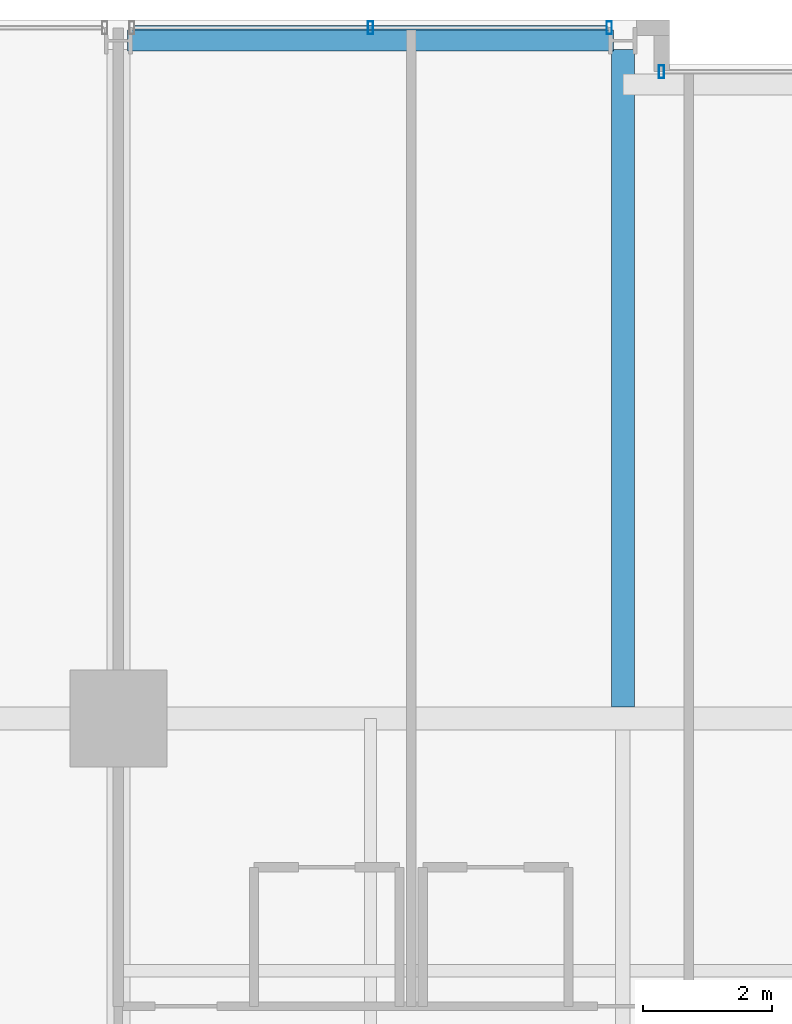
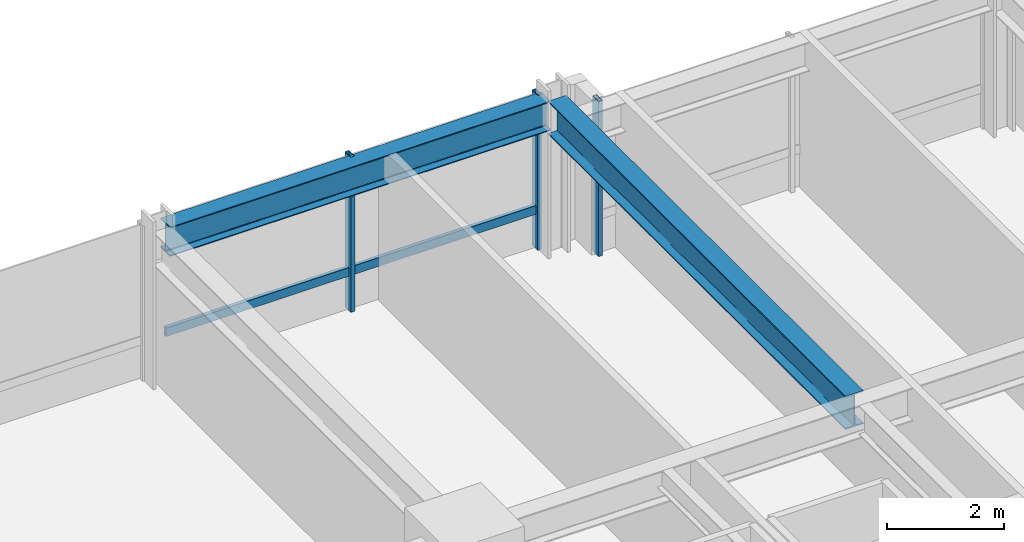
# One storey, part 21 of 34: 4 members, 2 beams, 2 elements without a shape of their own.
"""IFC4 building model written with IfcOpenShell, lengths in metres."""

from ifc_helpers import new_model, si_unit, direction, frame, origin, origin_2d, place, context, subcontext, project, spatial, hollow_rectangle, i_section, extrude, material, layer, layer_set, material_profile, profile_set, type_object, element, aggregate, save


model = new_model("IFC4")

# Units and contexts
model_context = context("Model", 3, precision=1e-05, world=origin(), true_north=direction((0.0, 1.0)))
body_context = subcontext(model_context, "Body", "Model", "MODEL_VIEW")
ifc_project = project(units=[si_unit("LENGTHUNIT", "METRE"), si_unit("AREAUNIT", "SQUARE_METRE"), si_unit("VOLUMEUNIT", "CUBIC_METRE"), si_unit("PLANEANGLEUNIT", "RADIAN"), si_unit("MASSUNIT", "GRAM", prefix="KILO")], contexts=[model_context])

# Site, building, storey
site_placement = place(None, origin())
site = spatial("IfcSite", under=ifc_project, at=site_placement, CompositionType="ELEMENT")
building_placement = place(site_placement, origin())
building = spatial("IfcBuilding", under=site, at=building_placement, Name="Drelvath Grand Hotel", CompositionType="ELEMENT")
storey_placement = place(building_placement, frame((0.0, 0.0, 133.800048828125)))
storey = spatial("IfcBuildingStorey", under=building, at=storey_placement, Name="L34", CompositionType="ELEMENT", Elevation=133.800048828125)

# Curtain wall, members
ifc_material_1 = material(Name="Champagne Bronze Anodised Aluminium Frame", Category="aluminium")
ifc_layer = layer(ifc_material_1, 0.199951171875)
ifc_layer_set = layer_set([ifc_layer], Name="Champagne Bronze Anodised Aluminium Frame")
curtain_wall_type = type_object("IfcCurtainWallType", Name="Stick Curtain Wall CW-03 Champagne Bronze Mid-Rise", PredefinedType="NOTDEFINED", material=ifc_layer_set)
curtain_wall_1_placement = place(storey_placement, origin())
curtain_wall_1 = element("IfcCurtainWall", 1, at=curtain_wall_1_placement, inside=storey, type_object=curtain_wall_type, Name="L34 CW-03 Curtain Wall CW03-L34-NW2", PredefinedType="NOTDEFINED")
ifc_material_profile_1 = material_profile(ifc_material_1, hollow_rectangle(XDim=0.074951171875, YDim=0.179931640625, WallThickness=0.0048828125, at=origin_2d()), Name="HSS180X75X5")
ifc_profile_set_1 = profile_set([ifc_material_profile_1], Name="Champagne Bronze Anodised Aluminium Frame")
member_type_1 = type_object("IfcMemberType", Name="Curtain Wall Horizontal Transom CW-03 HSS180X75X5", PredefinedType="USERDEFINED", material=ifc_profile_set_1)
member_1_placement = place(storey_placement, frame((-15.95068359375, 53.8798828125, 0.81005859375), z_axis=(1.0, 0.0, 0.0), x_axis=(0.0, 1.0, 0.0)))
member_1 = element("IfcMember", 2, at=member_1_placement, type_object=member_type_1, Name="CW03-L34-NW2 Sill Transom", ObjectType="TRANSOM", PredefinedType="USERDEFINED", context=body_context, shape_type="SweptSolid", body=[
    extrude(hollow_rectangle(XDim=0.074951171875, YDim=0.179931640625, WallThickness=0.0048828125, at=origin_2d()), origin(), (0.0, 0.0, 1.0), 7.30126953125),
])
ifc_material_profile_2 = material_profile(ifc_material_1, hollow_rectangle(XDim=0.080078125, YDim=0.199951171875, WallThickness=0.0048828125, at=origin_2d()), Name="HSS200X80X5")
ifc_profile_set_2 = profile_set([ifc_material_profile_2], Name="Champagne Bronze Anodised Aluminium Frame")
member_type_2 = type_object("IfcMemberType", Name="Curtain Wall Vertical Mullion CW-03 HSS200X80X5", PredefinedType="MULLION", material=ifc_profile_set_2)
member_2_placement = place(storey_placement, frame((-12.300048828125, 53.8798828125, 0.0), z_axis=(0.0, 0.0, 1.0), x_axis=(1.0, 0.0, 0.0)))
member_2 = element("IfcMember", 3, at=member_2_placement, type_object=member_type_2, Name="CW03-L34-NW2 Mullion 2", PredefinedType="MULLION", context=body_context, shape_type="SweptSolid", body=[
    extrude(hollow_rectangle(XDim=0.080078125, YDim=0.199951171875, WallThickness=0.0048828125, at=origin_2d()), origin(), (0.0, 0.0, 1.0), 3.239990234375),
])
member_3_placement = place(storey_placement, frame((-8.609375, 53.8798828125, 0.0), z_axis=(0.0, 0.0, 1.0), x_axis=(1.0, 0.0, 0.0)))
member_3 = element("IfcMember", 4, at=member_3_placement, type_object=member_type_2, Name="CW03-L34-NW2 Mullion 3", PredefinedType="MULLION", context=body_context, shape_type="SweptSolid", body=[
    extrude(hollow_rectangle(XDim=0.080078125, YDim=0.199951171875, WallThickness=0.0048828125, at=origin_2d()), origin(), (0.0, 0.0, 1.0), 3.239990234375),
])
aggregate(curtain_wall_1, [member_2, member_3, member_1])

# Curtain wall, member
curtain_wall_2_placement = place(storey_placement, origin())
curtain_wall_2 = element("IfcCurtainWall", 5, at=curtain_wall_2_placement, inside=storey, type_object=curtain_wall_type, Name="L34 CW-03 Curtain Wall CW03-L34-NM1", PredefinedType="NOTDEFINED")
member_4_placement = place(storey_placement, frame((-7.800048828125, 53.199951171875, 0.0), z_axis=(0.0, 0.0, 1.0), x_axis=(1.0, 0.0, 0.0)))
member_4 = element("IfcMember", 6, at=member_4_placement, type_object=member_type_2, Name="CW03-L34-NM1 Mullion 1", PredefinedType="MULLION", context=body_context, shape_type="SweptSolid", body=[
    extrude(hollow_rectangle(XDim=0.080078125, YDim=0.199951171875, WallThickness=0.0048828125, at=origin_2d()), origin(), (0.0, 0.0, 1.0), 3.239990234375),
])
aggregate(curtain_wall_2, [member_4])

# Beams
ifc_material_2 = material(Name="Steel ASTM A992 Gr 50", Category="steel")
ifc_material_profile_3 = material_profile(ifc_material_2, i_section(OverallWidth=0.323974609375, OverallDepth=0.611083984375, WebThickness=0.0126953125, FlangeThickness=0.01904296875, FilletRadius=0.02197265625, at=origin_2d()), Name="W24X104")
ifc_profile_set_3 = profile_set([ifc_material_profile_3], Name="Steel ASTM A992 Gr 50")
beam_type_1 = type_object("IfcBeamType", Name="Perimeter Spandrel Beam W24X104", PredefinedType="SPANDREL", material=ifc_profile_set_3)
beam_1_placement = place(storey_placement, frame((-16.06005859375, 53.679931640625, 2.934326171875), z_axis=(1.0, 0.0, 0.0), x_axis=(0.0, 1.0, 0.0)))
element("IfcBeam", 7, at=beam_1_placement, inside=storey, type_object=beam_type_1, Name="L34 Spandrel North W", PredefinedType="SPANDREL", context=body_context, shape_type="SweptSolid", body=[
    extrude(i_section(OverallWidth=0.323974609375, OverallDepth=0.611083984375, WebThickness=0.0126953125, FlangeThickness=0.01904296875, FilletRadius=0.02197265625, at=origin_2d()), origin(), (0.0, 0.0, 1.0), 7.52001953125),
])
ifc_material_profile_4 = material_profile(ifc_material_2, i_section(OverallWidth=0.354736328125, OverallDepth=0.695556640625, WebThickness=0.015380859375, FlangeThickness=0.025146484375, FilletRadius=0.02392578125, at=origin_2d()), Name="W27X146")
ifc_profile_set_4 = profile_set([ifc_material_profile_4], Name="Steel ASTM A992 Gr 50")
beam_type_2 = type_object("IfcBeamType", Name="Primary Floor Girder W27X146", PredefinedType="BEAM", material=ifc_profile_set_4)
beam_2_placement = place(storey_placement, frame((-8.39990234375, 43.37744140625, 2.892333984375), z_axis=(0.0, 1.0, 0.0), x_axis=(-1.0, 0.0, 0.0)))
element("IfcBeam", 8, at=beam_2_placement, inside=storey, type_object=beam_type_2, Name="L34 North Wing Girder 4", PredefinedType="BEAM", context=body_context, shape_type="SweptSolid", body=[
    extrude(i_section(OverallWidth=0.354736328125, OverallDepth=0.695556640625, WebThickness=0.015380859375, FlangeThickness=0.025146484375, FilletRadius=0.02392578125, at=origin_2d()), origin(), (0.0, 0.0, 1.0), 10.16259765625),
])

save(model, "model.ifc")
